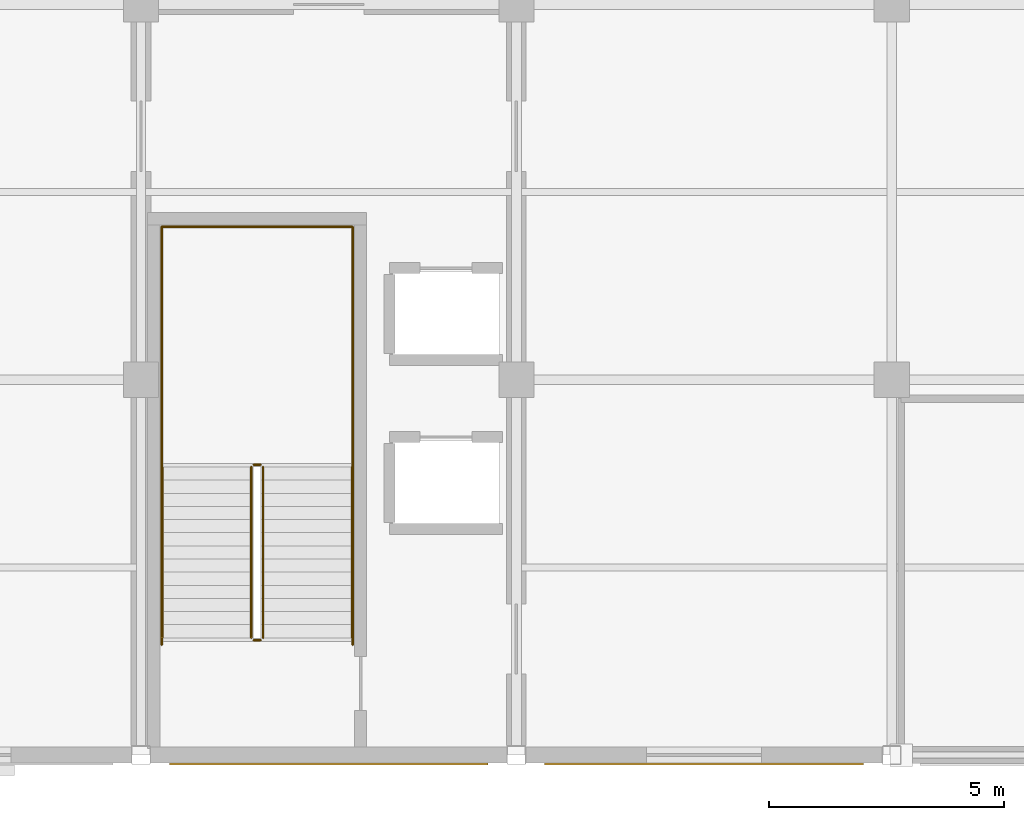
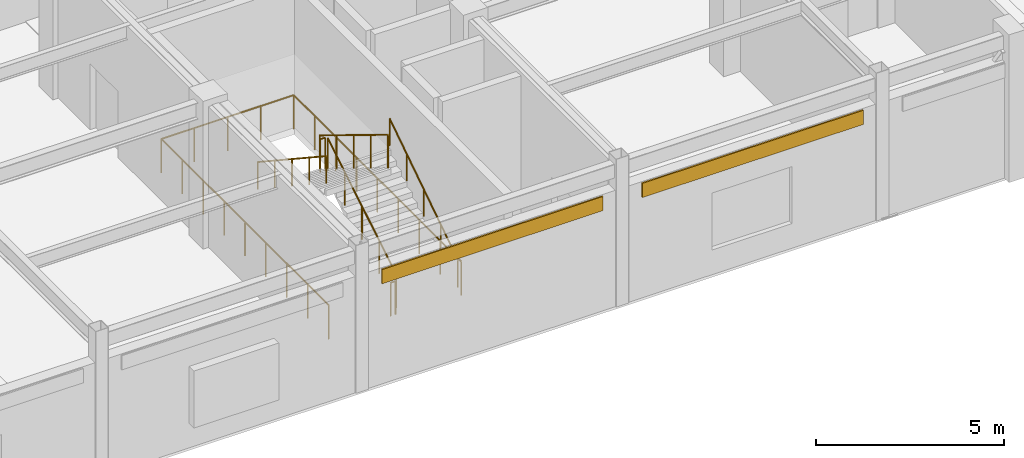
# One storey, part 106 of 117: 9 railings, 2 coverings.
"""IFC4 building model written with IfcOpenShell, lengths in metres."""

from ifc_helpers import new_model, si_unit, direction, frame, origin, origin_2d, place, context, subcontext, project, spatial, rectangle, circle, extrude, material, layer, layer_set, type_object, element, save


model = new_model("IFC4")

# Units and contexts
model_context = context("Model", 3, precision=1e-05, world=origin(), true_north=direction((0.0, 1.0)))
body_context = subcontext(model_context, "Body", "Model", "MODEL_VIEW")
ifc_project = project(units=[si_unit("LENGTHUNIT", "METRE"), si_unit("AREAUNIT", "SQUARE_METRE"), si_unit("VOLUMEUNIT", "CUBIC_METRE"), si_unit("PLANEANGLEUNIT", "RADIAN"), si_unit("MASSUNIT", "GRAM", prefix="KILO")], contexts=[model_context])

# Site, building, storey
site_placement = place(None, origin())
site = spatial("IfcSite", under=ifc_project, at=site_placement, CompositionType="ELEMENT")
building_placement = place(site_placement, origin())
building = spatial("IfcBuilding", under=site, at=building_placement, Name="Solmirada Galleria", CompositionType="ELEMENT")
storey_placement = place(building_placement, frame((0.0, 0.0, 5.60009765625)))
storey = spatial("IfcBuildingStorey", under=building, at=storey_placement, Name="L01", CompositionType="ELEMENT", Elevation=5.60009765625)

# Coverings
ifc_material_1 = material(Name="Limestone cladding panels", Category="masonry")
ifc_layer = layer(ifc_material_1, 0.044921875)
ifc_layer_set = layer_set([ifc_layer], Name="Limestone cladding panels")
covering_type = type_object("IfcCoveringType", Name="COV-CLAD-LIME", PredefinedType="CLADDING", material=ifc_layer_set)
for number, where, z_axis, x_axis, name in (
    (1, (100.0, -0.1923828125, 3.2900390625), (0.0, 0.0, 1.0), (-1.0, 0.0, 0.0), "Postmodern facade cladding L01-108"),
    (2, (92.0, -0.1923828125, 3.2900390625), (0.0, 0.0, 1.0), (-1.0, 0.0, 0.0), "Postmodern facade cladding L01-109"),
):
    element("IfcCovering", number, at=place(storey_placement, frame(where, z_axis=z_axis, x_axis=x_axis)), inside=storey, type_object=covering_type, Name=name, PredefinedType="CLADDING", context=body_context, shape_type="SweptSolid", body=[
        extrude(rectangle(XDim=6.7939453125, YDim=0.044921875, at=origin_2d()), origin(), (0.0, 0.0, 1.0), 0.4599609375),
    ])

# Railings
ifc_material_2 = material(Name="Painted steel tubular railing", Category="steel")
railing_type_1 = type_object("IfcRailingType", Name="RAIL-STAIR-GUARD", PredefinedType="GUARDRAIL", material=ifc_material_2)
railing_1_placement = place(storey_placement, frame((90.60009765625, 2.5, 0.17138671875)))
element("IfcRailing", 3, at=railing_1_placement, inside=storey, type_object=railing_type_1, Name="L01 ST2 stair guard 1", PredefinedType="GUARDRAIL", context=body_context, shape_type="SweptSolid", body=[
    extrude(circle(Radius=0.02392578125, at=origin_2d()), frame((0.0, 0.0, 1.076171875), z_axis=(0.0, 0.852850264322, 0.5221555579), x_axis=(-1.0, 0.0, 0.0)), (0.0, 0.0, 1.0), 4.267822265625),
    extrude(circle(Radius=0.02099609375, at=origin_2d()), origin(), (0.0, 0.0, 1.0), 1.048095703125),
    extrude(circle(Radius=0.02099609375, at=origin_2d()), frame((0.0, 0.909912109375, 0.55712890625)), (0.0, 0.0, 1.0), 1.048095703125),
    extrude(circle(Radius=0.02099609375, at=origin_2d()), frame((0.0, 1.81982421875, 1.1142578125)), (0.0, 0.0, 1.0), 1.048095703125),
    extrude(circle(Radius=0.02099609375, at=origin_2d()), frame((0.0, 2.72998046875, 1.67138671875)), (0.0, 0.0, 1.0), 1.048095703125),
    extrude(circle(Radius=0.02099609375, at=origin_2d()), frame((0.0, 3.639892578125, 2.228515625)), (0.0, 0.0, 1.0), 1.048095703125),
])
railing_2_placement = place(storey_placement, frame((90.550048828125, 6.18994140625, 2.39990234375)))
element("IfcRailing", 4, at=railing_2_placement, inside=storey, type_object=railing_type_1, Name="L01 ST2 stair guard 2", PredefinedType="GUARDRAIL", context=body_context, shape_type="SweptSolid", body=[
    extrude(circle(Radius=0.02392578125, at=origin_2d()), frame((0.0, 0.0, 1.076171875), z_axis=(-1.0, 0.0, 0.0), x_axis=(0.0, -1.0, 0.0)), (0.0, 0.0, 1.0), 0.150146484375),
    extrude(circle(Radius=0.02099609375, at=origin_2d()), origin(), (0.0, 0.0, 1.0), 1.048095703125),
    extrude(circle(Radius=0.02099609375, at=origin_2d()), frame((-0.150146484375, 0.0, 0.0)), (0.0, 0.0, 1.0), 1.048095703125),
])
railing_3_placement = place(storey_placement, frame((90.35009765625, 6.139892578125, 2.5712890625)))
element("IfcRailing", 5, at=railing_3_placement, inside=storey, type_object=railing_type_1, Name="L01 ST2 stair guard 3", PredefinedType="GUARDRAIL", context=body_context, shape_type="SweptSolid", body=[
    extrude(circle(Radius=0.02392578125, at=origin_2d()), frame((0.0, 0.0, 1.076171875), z_axis=(0.0, -0.852850264322, 0.5221555579), x_axis=(1.0, 0.0, 0.0)), (0.0, 0.0, 1.0), 4.267822265625),
    extrude(circle(Radius=0.02099609375, at=origin_2d()), origin(), (0.0, 0.0, 1.0), 1.048095703125),
    extrude(circle(Radius=0.02099609375, at=origin_2d()), frame((0.0, -0.909912109375, 0.55712890625)), (0.0, 0.0, 1.0), 1.048095703125),
    extrude(circle(Radius=0.02099609375, at=origin_2d()), frame((0.0, -1.81982421875, 1.1142578125)), (0.0, 0.0, 1.0), 1.048095703125),
    extrude(circle(Radius=0.02099609375, at=origin_2d()), frame((0.0, -2.72998046875, 1.67138671875)), (0.0, 0.0, 1.0), 1.048095703125),
    extrude(circle(Radius=0.02099609375, at=origin_2d()), frame((0.0, -3.639892578125, 2.228515625)), (0.0, 0.0, 1.0), 1.048095703125),
])
railing_4_placement = place(storey_placement, frame((90.550048828125, 2.449951171875, 0.0)))
element("IfcRailing", 6, at=railing_4_placement, inside=storey, type_object=railing_type_1, Name="L01 ST2 stair guard 4", PredefinedType="GUARDRAIL", context=body_context, shape_type="SweptSolid", body=[
    extrude(circle(Radius=0.02392578125, at=origin_2d()), frame((0.0, 0.0, 1.076171875), z_axis=(-1.0, 0.0, 0.0), x_axis=(0.0, -1.0, 0.0)), (0.0, 0.0, 1.0), 0.150146484375),
    extrude(circle(Radius=0.02099609375, at=origin_2d()), origin(), (0.0, 0.0, 1.0), 1.048095703125),
    extrude(circle(Radius=0.02099609375, at=origin_2d()), frame((-0.150146484375, 0.0, 0.0)), (0.0, 0.0, 1.0), 1.048095703125),
])
railing_5_placement = place(storey_placement, frame((88.43994140625, 2.35009765625, 0.0)))
element("IfcRailing", 7, at=railing_5_placement, inside=storey, type_object=railing_type_1, Name="Stair ST2 well edge guard L01-1", PredefinedType="GUARDRAIL", context=body_context, shape_type="SweptSolid", body=[
    extrude(circle(Radius=0.02392578125, at=origin_2d()), frame((0.0, 0.0, 1.09619140625), z_axis=(0.0, 1.0, 0.0), x_axis=(-1.0, 0.0, 0.0)), (0.0, 0.0, 1.0), 8.909912109375),
    extrude(circle(Radius=0.02099609375, at=origin_2d()), origin(), (0.0, 0.0, 1.0), 1.068115234375),
    extrude(circle(Radius=0.02099609375, at=origin_2d()), frame((0.0, 1.11376953125, 0.0)), (0.0, 0.0, 1.0), 1.068115234375),
    extrude(circle(Radius=0.02099609375, at=origin_2d()), frame((0.0, 2.2275390625, 0.0)), (0.0, 0.0, 1.0), 1.068115234375),
    extrude(circle(Radius=0.02099609375, at=origin_2d()), frame((0.0, 3.34130859375, 0.0)), (0.0, 0.0, 1.0), 1.068115234375),
    extrude(circle(Radius=0.02099609375, at=origin_2d()), frame((0.0, 4.455078125, 0.0)), (0.0, 0.0, 1.0), 1.068115234375),
    extrude(circle(Radius=0.02099609375, at=origin_2d()), frame((0.0, 5.568603515625, 0.0)), (0.0, 0.0, 1.0), 1.068115234375),
    extrude(circle(Radius=0.02099609375, at=origin_2d()), frame((0.0, 6.682373046875, 0.0)), (0.0, 0.0, 1.0), 1.068115234375),
    extrude(circle(Radius=0.02099609375, at=origin_2d()), frame((0.0, 7.796142578125, 0.0)), (0.0, 0.0, 1.0), 1.068115234375),
    extrude(circle(Radius=0.02099609375, at=origin_2d()), frame((0.0, 8.909912109375, 0.0)), (0.0, 0.0, 1.0), 1.068115234375),
])
railing_6_placement = place(storey_placement, frame((88.43994140625, 11.260009765625, 0.0)))
element("IfcRailing", 8, at=railing_6_placement, inside=storey, type_object=railing_type_1, Name="Stair ST2 well edge guard L01-2", PredefinedType="GUARDRAIL", context=body_context, shape_type="SweptSolid", body=[
    extrude(circle(Radius=0.02392578125, at=origin_2d()), frame((0.0, 0.0, 1.09619140625), z_axis=(1.0, 0.0, 0.0), x_axis=(0.0, 1.0, 0.0)), (0.0, 0.0, 1.0), 4.070068359375),
    extrude(circle(Radius=0.02099609375, at=origin_2d()), origin(), (0.0, 0.0, 1.0), 1.068115234375),
    extrude(circle(Radius=0.02099609375, at=origin_2d()), frame((1.017578125, 0.0, 0.0)), (0.0, 0.0, 1.0), 1.068115234375),
    extrude(circle(Radius=0.02099609375, at=origin_2d()), frame((2.03515625, 0.0, 0.0)), (0.0, 0.0, 1.0), 1.068115234375),
    extrude(circle(Radius=0.02099609375, at=origin_2d()), frame((3.052490234375, 0.0, 0.0)), (0.0, 0.0, 1.0), 1.068115234375),
    extrude(circle(Radius=0.02099609375, at=origin_2d()), frame((4.070068359375, 0.0, 0.0)), (0.0, 0.0, 1.0), 1.068115234375),
])
railing_7_placement = place(storey_placement, frame((92.510009765625, 11.260009765625, 0.0)))
element("IfcRailing", 9, at=railing_7_placement, inside=storey, type_object=railing_type_1, Name="Stair ST2 well edge guard L01-3", PredefinedType="GUARDRAIL", context=body_context, shape_type="SweptSolid", body=[
    extrude(circle(Radius=0.02392578125, at=origin_2d()), frame((0.0, 0.0, 1.09619140625), z_axis=(0.0, -1.0, 0.0), x_axis=(1.0, 0.0, 0.0)), (0.0, 0.0, 1.0), 8.909912109375),
    extrude(circle(Radius=0.02099609375, at=origin_2d()), origin(), (0.0, 0.0, 1.0), 1.068115234375),
    extrude(circle(Radius=0.02099609375, at=origin_2d()), frame((0.0, -1.11376953125, 0.0)), (0.0, 0.0, 1.0), 1.068115234375),
    extrude(circle(Radius=0.02099609375, at=origin_2d()), frame((0.0, -2.2275390625, 0.0)), (0.0, 0.0, 1.0), 1.068115234375),
    extrude(circle(Radius=0.02099609375, at=origin_2d()), frame((0.0, -3.34130859375, 0.0)), (0.0, 0.0, 1.0), 1.068115234375),
    extrude(circle(Radius=0.02099609375, at=origin_2d()), frame((0.0, -4.455078125, 0.0)), (0.0, 0.0, 1.0), 1.068115234375),
    extrude(circle(Radius=0.02099609375, at=origin_2d()), frame((0.0, -5.568603515625, 0.0)), (0.0, 0.0, 1.0), 1.068115234375),
    extrude(circle(Radius=0.02099609375, at=origin_2d()), frame((0.0, -6.682373046875, 0.0)), (0.0, 0.0, 1.0), 1.068115234375),
    extrude(circle(Radius=0.02099609375, at=origin_2d()), frame((0.0, -7.796142578125, 0.0)), (0.0, 0.0, 1.0), 1.068115234375),
    extrude(circle(Radius=0.02099609375, at=origin_2d()), frame((0.0, -8.909912109375, 0.0)), (0.0, 0.0, 1.0), 1.068115234375),
])
railing_type_2 = type_object("IfcRailingType", Name="RAIL-STAIR-HAND", PredefinedType="HANDRAIL", material=ifc_material_2)
railing_8_placement = place(storey_placement, frame((92.5, 2.5, 0.17138671875)))
element("IfcRailing", 10, at=railing_8_placement, inside=storey, type_object=railing_type_2, Name="L01 ST2 stair handrail 1", PredefinedType="HANDRAIL", context=body_context, shape_type="SweptSolid", body=[
    extrude(circle(Radius=0.02392578125, at=origin_2d()), frame((0.0, 0.0, 0.8759765625), z_axis=(0.0, 0.834865213223, 0.550454426587), x_axis=(-1.0, 0.0, 0.0)), (0.0, 0.0, 1.0), 4.35986328125),
    extrude(circle(Radius=0.02099609375, at=origin_2d()), origin(), (0.0, 0.0, 1.0), 0.847900390625),
    extrude(circle(Radius=0.02099609375, at=origin_2d()), frame((0.0, 0.909912109375, 0.60009765625)), (0.0, 0.0, 1.0), 0.847900390625),
    extrude(circle(Radius=0.02099609375, at=origin_2d()), frame((0.0, 1.81982421875, 1.199951171875)), (0.0, 0.0, 1.0), 0.847900390625),
    extrude(circle(Radius=0.02099609375, at=origin_2d()), frame((0.0, 2.72998046875, 1.7998046875)), (0.0, 0.0, 1.0), 0.847900390625),
    extrude(circle(Radius=0.02099609375, at=origin_2d()), frame((0.0, 3.639892578125, 2.39990234375)), (0.0, 0.0, 1.0), 0.847900390625),
])
railing_9_placement = place(storey_placement, frame((88.449951171875, 6.139892578125, 2.5712890625)))
element("IfcRailing", 11, at=railing_9_placement, inside=storey, type_object=railing_type_2, Name="L01 ST2 stair handrail 2", PredefinedType="HANDRAIL", context=body_context, shape_type="SweptSolid", body=[
    extrude(circle(Radius=0.02392578125, at=origin_2d()), frame((0.0, 0.0, 0.8759765625), z_axis=(0.0, -0.834839479206, 0.550493454965), x_axis=(1.0, 0.0, 0.0)), (0.0, 0.0, 1.0), 4.360107421875),
    extrude(circle(Radius=0.02099609375, at=origin_2d()), origin(), (0.0, 0.0, 1.0), 0.847900390625),
    extrude(circle(Radius=0.02099609375, at=origin_2d()), frame((0.0, -0.909912109375, 0.60009765625)), (0.0, 0.0, 1.0), 0.847900390625),
    extrude(circle(Radius=0.02099609375, at=origin_2d()), frame((0.0, -1.81982421875, 1.2001953125)), (0.0, 0.0, 1.0), 0.847900390625),
    extrude(circle(Radius=0.02099609375, at=origin_2d()), frame((0.0, -2.72998046875, 1.800048828125)), (0.0, 0.0, 1.0), 0.847900390625),
    extrude(circle(Radius=0.02099609375, at=origin_2d()), frame((0.0, -3.639892578125, 2.400146484375)), (0.0, 0.0, 1.0), 0.847900390625),
])

save(model, "model.ifc")
